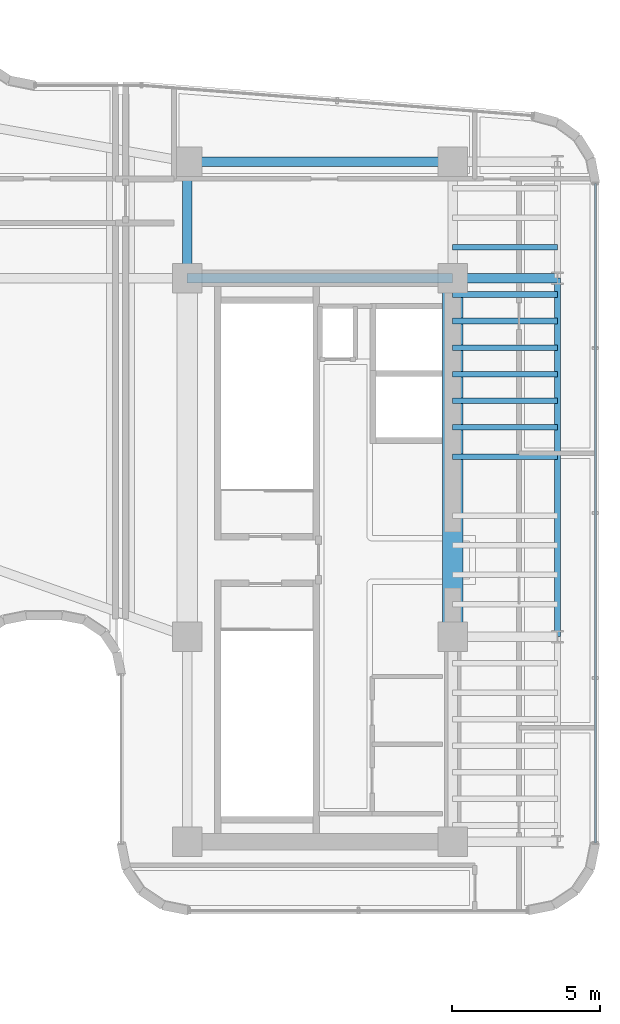
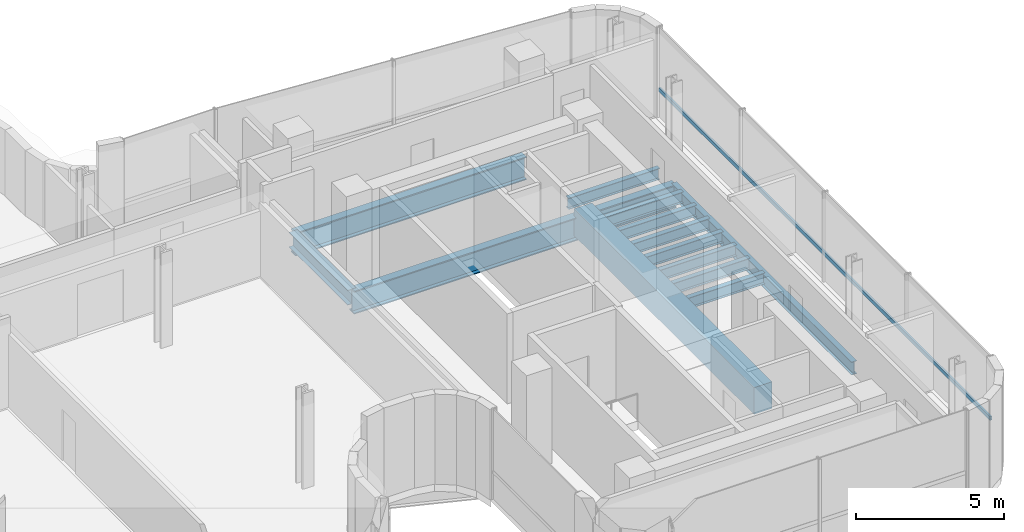
# One storey, part 16 of 35: 14 beams, 1 member, 1 element without a shape of its own.
"""IFC4 building model written with IfcOpenShell, lengths in metres."""

from ifc_helpers import new_model, si_unit, direction, frame, origin, origin_2d, place, context, subcontext, project, spatial, rectangle, hollow_rectangle, i_section, extrude, source, transform, mapped, material, material_profile, profile_set, type_object, element, aggregate, save


model = new_model("IFC4")

# Units and contexts
model_context = context("Model", 3, precision=1e-05, world=origin(), true_north=direction((0.0, 1.0)))
body_context = subcontext(model_context, "Body", "Model", "MODEL_VIEW")
ifc_project = project(units=[si_unit("LENGTHUNIT", "METRE"), si_unit("AREAUNIT", "SQUARE_METRE"), si_unit("VOLUMEUNIT", "CUBIC_METRE"), si_unit("PLANEANGLEUNIT", "RADIAN"), si_unit("MASSUNIT", "GRAM", prefix="KILO")], contexts=[model_context])

# Site, building, storey
site_placement = place(None, origin())
site = spatial("IfcSite", under=ifc_project, at=site_placement, CompositionType="ELEMENT")
building_placement = place(site_placement, origin())
building = spatial("IfcBuilding", under=site, at=building_placement, Name="Valdorenza Pilgrim Sanctuary Tower", CompositionType="ELEMENT")
storey_placement = place(building_placement, frame((0.0, 0.0, 192.35009765625)))
storey = spatial("IfcBuildingStorey", under=building, at=storey_placement, Name="L49", CompositionType="ELEMENT", Elevation=192.35009765625)

# Beams
ifc_material_1 = material(Name="Concrete C50/60", Category="concrete")
ifc_material_profile_1 = material_profile(ifc_material_1, rectangle(XDim=0.699951171875, YDim=1.10009765625, at=origin_2d()), Name="RC 1100x700")
ifc_profile_set_1 = profile_set([ifc_material_profile_1], Name="Concrete C50/60")
beam_type_1 = type_object("IfcBeamType", Name="STR-BM-LNT-1100", PredefinedType="LINTEL", material=ifc_profile_set_1)
shared_shape_1 = source(origin(), body_context, "Body", "SweptSolid", [
    extrude(rectangle(XDim=0.699951171875, YDim=1.10009765625, at=origin_2d()), origin(), (0.0, 0.0, 1.0), 12.150146484375),
])
beam_1_placement = place(storey_placement, frame((24.85009765625, -2.60009765625, -0.590087890625), z_axis=(0.0, 1.0, 0.0), x_axis=(-1.0, 0.0, 0.0)))
element("IfcBeam", 1, at=beam_1_placement, inside=storey, type_object=beam_type_1, Name="L49 Core B East Coupling Lintel Girder", PredefinedType="LINTEL", context=body_context, shape_type="MappedRepresentation", body=[
    mapped(shared_shape_1, transform((0.0, 0.0, 0.0), x_axis=(1.0, 0.0, 0.0), y_axis=(0.0, 1.0, 0.0), z_axis=(0.0, 0.0, 1.0), scale=1.0)),
])
ifc_material_2 = material(Name="Steel ASTM A992 Grade 50", Category="steel")
ifc_material_profile_2 = material_profile(ifc_material_2, i_section(OverallWidth=0.323974609375, OverallDepth=0.611083984375, WebThickness=0.0126953125, FlangeThickness=0.01904296875, at=origin_2d()), Name="W24X104")
ifc_profile_set_2 = profile_set([ifc_material_profile_2], Name="Steel ASTM A992 Grade 50")
beam_type_2 = type_object("IfcBeamType", Name="STR-BM-GRD-W24B", PredefinedType="BEAM", material=ifc_profile_set_2)
shared_shape_2 = source(origin(), body_context, "Body", "SweptSolid", [
    extrude(i_section(OverallWidth=0.323974609375, OverallDepth=0.611083984375, WebThickness=0.0126953125, FlangeThickness=0.01904296875, at=origin_2d()), origin(), (0.0, 0.0, 1.0), 3.949951171875),
])
beam_2_placement = place(storey_placement, frame((15.85009765625, 9.550048828125, -0.62548828125), z_axis=(0.0, 1.0, 0.0), x_axis=(-1.0, 0.0, 0.0)))
element("IfcBeam", 2, at=beam_2_placement, inside=storey, type_object=beam_type_2, Name="L49 Core Tie Girder CB-W-N1N2", PredefinedType="BEAM", context=body_context, shape_type="MappedRepresentation", body=[
    mapped(shared_shape_2, transform((0.0, 0.0, 0.0), x_axis=(1.0, 0.0, 0.0), y_axis=(0.0, 1.0, 0.0), z_axis=(0.0, 0.0, 1.0), scale=1.0)),
])
ifc_material_profile_3 = material_profile(ifc_material_2, i_section(OverallWidth=0.19091796875, OverallDepth=0.45703125, WebThickness=0.009033203125, FlangeThickness=0.014404296875, at=origin_2d()), Name="W18X50")
ifc_profile_set_3 = profile_set([ifc_material_profile_3], Name="Steel ASTM A992 Grade 50")
beam_type_3 = type_object("IfcBeamType", Name="STR-BM-JST-W18B", PredefinedType="JOIST", material=ifc_profile_set_3)
shared_shape_3 = source(origin(), body_context, "Body", "SweptSolid", [
    extrude(i_section(OverallWidth=0.19091796875, OverallDepth=0.45703125, WebThickness=0.009033203125, FlangeThickness=0.014404296875, at=origin_2d()), origin(), (0.0, 0.0, 1.0), 3.5498046875),
])
for number, where, z_axis, x_axis, name in (
    (3, (24.85009765625, 3.5, -0.548583984375), (1.0, 0.0, 0.0), (0.0, 1.0, 0.0), "L49 Composite Floor Joist JST-WB-12"),
    (4, (24.85009765625, 4.5, -0.548583984375), (1.0, 0.0, 0.0), (0.0, 1.0, 0.0), "L49 Composite Floor Joist JST-WB-13"),
    (5, (24.85009765625, 5.39990234375, -0.548583984375), (1.0, 0.0, 0.0), (0.0, 1.0, 0.0), "L49 Composite Floor Joist JST-WB-14"),
    (6, (24.85009765625, 6.300048828125, -0.548583984375), (1.0, 0.0, 0.0), (0.0, 1.0, 0.0), "L49 Composite Floor Joist JST-WB-15"),
    (7, (24.85009765625, 7.199951171875, -0.548583984375), (1.0, 0.0, 0.0), (0.0, 1.0, 0.0), "L49 Composite Floor Joist JST-WB-16"),
    (8, (24.85009765625, 8.10009765625, -0.548583984375), (1.0, 0.0, 0.0), (0.0, 1.0, 0.0), "L49 Composite Floor Joist JST-WB-17"),
    (9, (24.85009765625, 9.0, -0.548583984375), (1.0, 0.0, 0.0), (0.0, 1.0, 0.0), "L49 Composite Floor Joist JST-WB-18"),
    (10, (24.85009765625, 10.60009765625, -0.548583984375), (1.0, 0.0, 0.0), (0.0, 1.0, 0.0), "L49 Composite Floor Joist JST-WB-19"),
):
    element("IfcBeam", number, at=place(storey_placement, frame(where, z_axis=z_axis, x_axis=x_axis)), inside=storey, type_object=beam_type_3, Name=name, PredefinedType="JOIST", context=body_context, shape_type="MappedRepresentation", body=[
        mapped(shared_shape_3, transform((0.0, 0.0, 0.0), x_axis=(1.0, 0.0, 0.0), y_axis=(0.0, 1.0, 0.0), z_axis=(0.0, 0.0, 1.0), scale=1.0)),
    ])
ifc_material_profile_4 = material_profile(ifc_material_2, i_section(OverallWidth=0.2109375, OverallDepth=0.5390625, WebThickness=0.01171875, FlangeThickness=0.018798828125, at=origin_2d()), Name="W21X73")
ifc_profile_set_4 = profile_set([ifc_material_profile_4], Name="Steel ASTM A992 Grade 50")
beam_type_4 = type_object("IfcBeamType", Name="STR-BM-SPN-W21B", PredefinedType="SPANDREL", material=ifc_profile_set_4)
shared_shape_4 = source(origin(), body_context, "Body", "SweptSolid", [
    extrude(i_section(OverallWidth=0.2109375, OverallDepth=0.5390625, WebThickness=0.01171875, FlangeThickness=0.018798828125, at=origin_2d()), origin(), (0.0, 0.0, 1.0), 12.150146484375),
])
beam_3_placement = place(storey_placement, frame((28.39990234375, -2.60009765625, -0.589599609375), z_axis=(0.0, 1.0, 0.0), x_axis=(-1.0, 0.0, 0.0)))
element("IfcBeam", 11, at=beam_3_placement, inside=storey, type_object=beam_type_4, Name="L49 Spandrel Beam WB-E-M0N1", PredefinedType="SPANDREL", context=body_context, shape_type="MappedRepresentation", body=[
    mapped(shared_shape_4, transform((0.0, 0.0, 0.0), x_axis=(1.0, 0.0, 0.0), y_axis=(0.0, 1.0, 0.0), z_axis=(0.0, 0.0, 1.0), scale=1.0)),
])
ifc_material_profile_5 = material_profile(ifc_material_2, i_section(OverallWidth=0.31005859375, OverallDepth=0.949951171875, WebThickness=0.0244140625, FlangeThickness=0.0439453125, at=origin_2d()), Name="W36X256")
ifc_profile_set_5 = profile_set([ifc_material_profile_5], Name="Steel ASTM A992 Grade 50")
beam_type_5 = type_object("IfcBeamType", Name="STR-BM-GRD-W36B", PredefinedType="BEAM", material=ifc_profile_set_5)
shared_shape_5 = source(origin(), body_context, "Body", "SweptSolid", [
    extrude(i_section(OverallWidth=0.31005859375, OverallDepth=0.949951171875, WebThickness=0.0244140625, FlangeThickness=0.0439453125, at=origin_2d()), origin(), (0.0, 0.0, 1.0), 9.0),
])
for number, where, z_axis, x_axis, name in (
    (12, (15.85009765625, 9.550048828125, -0.795166015625), (1.0, 0.0, 0.0), (0.0, 1.0, 0.0), "L49 Floor Girder CB-XC-N1"),
    (13, (15.85009765625, 13.5, -0.795166015625), (1.0, 0.0, 0.0), (0.0, 1.0, 0.0), "L49 Floor Girder CB-XC-N2"),
):
    element("IfcBeam", number, at=place(storey_placement, frame(where, z_axis=z_axis, x_axis=x_axis)), inside=storey, type_object=beam_type_5, Name=name, PredefinedType="BEAM", context=body_context, shape_type="MappedRepresentation", body=[
        mapped(shared_shape_5, transform((0.0, 0.0, 0.0), x_axis=(1.0, 0.0, 0.0), y_axis=(0.0, 1.0, 0.0), z_axis=(0.0, 0.0, 1.0), scale=1.0)),
    ])
shared_shape_6 = source(origin(), body_context, "Body", "SweptSolid", [
    extrude(i_section(OverallWidth=0.31005859375, OverallDepth=0.949951171875, WebThickness=0.0244140625, FlangeThickness=0.0439453125, at=origin_2d()), origin(), (0.0, 0.0, 1.0), 3.5498046875),
])
beam_4_placement = place(storey_placement, frame((24.85009765625, 9.550048828125, -0.795166015625), z_axis=(1.0, 0.0, 0.0), x_axis=(0.0, 1.0, 0.0)))
element("IfcBeam", 14, at=beam_4_placement, inside=storey, type_object=beam_type_5, Name="L49 Floor Girder WB-XE-N1", PredefinedType="BEAM", context=body_context, shape_type="MappedRepresentation", body=[
    mapped(shared_shape_6, transform((0.0, 0.0, 0.0), x_axis=(1.0, 0.0, 0.0), y_axis=(0.0, 1.0, 0.0), z_axis=(0.0, 0.0, 1.0), scale=1.0)),
])

# Curtain wall, member
ifc_material_3 = material(Name="Curtain-wall IGU glazing", Category="glass")
curtain_wall_type = type_object("IfcCurtainWallType", Name="CW-SYS-03", PredefinedType="NOTDEFINED", material=ifc_material_3)
curtain_wall_placement = place(storey_placement, origin())
curtain_wall = element("IfcCurtainWall", 15, at=curtain_wall_placement, inside=storey, type_object=curtain_wall_type, Name="L49 Curtain Wall CW-L49-1-37", PredefinedType="NOTDEFINED")
ifc_material_4 = material(Name="Anodised aluminium AW-6060", Category="aluminium")
ifc_material_profile_6 = material_profile(ifc_material_4, hollow_rectangle(XDim=0.074951171875, YDim=0.159912109375, WallThickness=0.00390625, at=origin_2d()), Name="ALU-T 160x75x4")
ifc_profile_set_6 = profile_set([ifc_material_profile_6], Name="Anodised aluminium AW-6060")
member_type = type_object("IfcMemberType", Name="CW-TRN-03", PredefinedType="USERDEFINED", material=ifc_profile_set_6)
shared_shape_7 = source(origin(), body_context, "Body", "SweptSolid", [
    extrude(hollow_rectangle(XDim=0.074951171875, YDim=0.159912109375, WallThickness=0.00390625, at=origin_2d()), origin(), (0.0, 0.0, 1.0), 22.357421875),
])
member_placement = place(storey_placement, frame((29.68994140625, 12.768310546875, 1.119873046875), z_axis=(0.0, -1.0, 0.0), x_axis=(1.0, 0.0, 0.0)))
member = element("IfcMember", 16, at=member_placement, type_object=member_type, Name="CW-L49-1-37 Transom 1", ObjectType="TRANSOM", PredefinedType="USERDEFINED", context=body_context, shape_type="MappedRepresentation", body=[
    mapped(shared_shape_7, transform((0.0, 0.0, 0.0), x_axis=(1.0, 0.0, 0.0), y_axis=(0.0, 1.0, 0.0), z_axis=(0.0, 0.0, 1.0), scale=1.0)),
])
aggregate(curtain_wall, [member])

save(model, "model.ifc")
